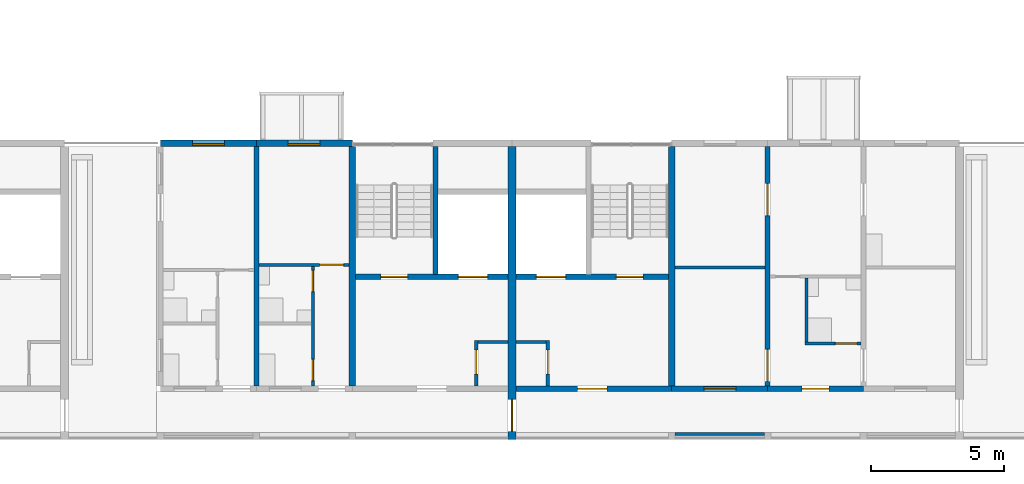
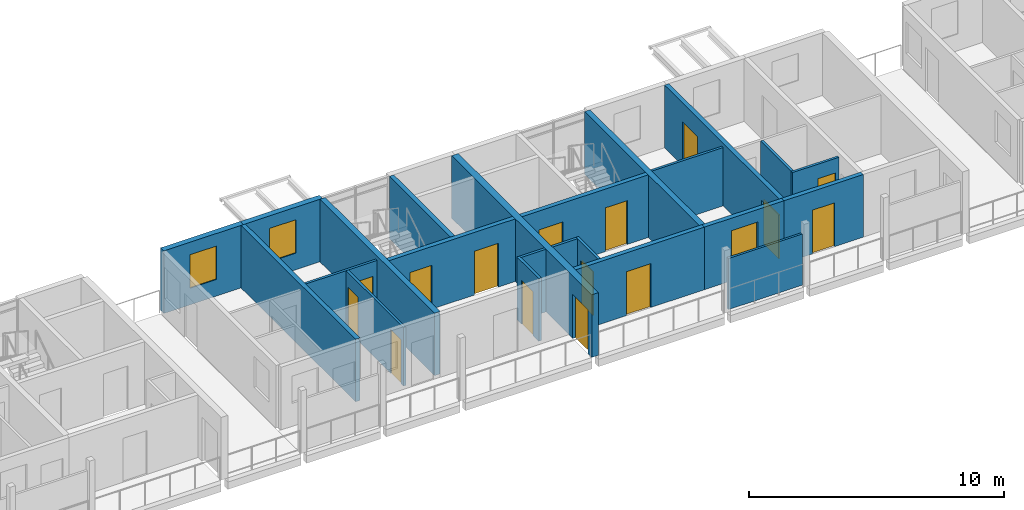
# One storey, part 33 of 78: 23 walls, 15 doors, 3 windows, 18 openings.
"""IFC4 building model written with IfcOpenShell, lengths in metres."""

from ifc_helpers import new_model, si_unit, direction, frame, frame_2d, origin, place, context, subcontext, project, spatial, rectangle, extrude, material, layer, layer_set, type_object, element, fill, save


model = new_model("IFC4")

# Units and contexts
model_context = context("Model", 3, precision=1e-05, world=origin(), true_north=direction((0.0, 1.0)))
body_context = subcontext(model_context, "Body", "Model", "MODEL_VIEW")
ifc_project = project(units=[si_unit("LENGTHUNIT", "METRE"), si_unit("AREAUNIT", "SQUARE_METRE"), si_unit("VOLUMEUNIT", "CUBIC_METRE"), si_unit("PLANEANGLEUNIT", "RADIAN"), si_unit("MASSUNIT", "GRAM", prefix="KILO")], contexts=[model_context])

# Site, building, storey
site_placement = place(None, origin())
site = spatial("IfcSite", under=ifc_project, at=site_placement, CompositionType="ELEMENT")
building_placement = place(site_placement, origin())
building = spatial("IfcBuilding", under=site, at=building_placement, Name="Ridgestep Commons", CompositionType="ELEMENT")
storey_placement = place(building_placement, frame((0.0, 0.0, 30.0)))
storey = spatial("IfcBuildingStorey", under=building, at=storey_placement, Name="L10", CompositionType="ELEMENT", Elevation=30.0)

# Walls
ifc_material_1 = material(Name="Concrete C30/37", Category="concrete")
ifc_layer_1 = layer(ifc_material_1, 0.25)
ifc_layer_set_1 = layer_set([ifc_layer_1], Name="Core cross wall 250")
wall_type_1 = type_object("IfcWallType", Name="Core cross wall 250", PredefinedType="SHEAR", material=ifc_layer_set_1)
for number, where, z_axis, x_axis, name in (
    (1, (39.60009765625, 13.75, 0.0), (0.0, 0.0, 1.0), (0.0, 1.0, 0.0), "Cross wall A-10-0396"),
    (2, (51.60009765625, 13.75, 0.0), (0.0, 0.0, 1.0), (0.0, 1.0, 0.0), "Cross wall A-10-0516"),
):
    element("IfcWall", number, at=place(storey_placement, frame(where, z_axis=z_axis, x_axis=x_axis)), inside=storey, type_object=wall_type_1, Name=name, PredefinedType="SHEAR", context=body_context, shape_type="SweptSolid", body=[
        extrude(rectangle(XDim=9.0, YDim=0.25, at=frame_2d((4.5, 0.0))), origin(), (0.0, 0.0, 1.0), 3.0),
    ])

# Wall, opening, door
ifc_material_2 = material(Name="Concrete C30/37", Category="concrete")
ifc_layer_2 = layer(ifc_material_2, 0.199951171875)
ifc_layer_set_2 = layer_set([ifc_layer_2], Name="Core south wall 200")
wall_type_2 = type_object("IfcWallType", Name="Core south wall 200", PredefinedType="SHEAR", material=ifc_layer_set_2)
wall_1_placement = place(storey_placement, frame((45.75, 13.64990234375, 0.0), z_axis=(0.0, 0.0, 1.0), x_axis=(1.0, 0.0, 0.0)))
wall_1 = element("IfcWall", 3, at=wall_1_placement, inside=storey, type_object=wall_type_2, Name="Core south wall A3C L10", PredefinedType="SHEAR", context=body_context, shape_type="SweptSolid", body=[
    extrude(rectangle(XDim=5.85009765625, YDim=0.199951171875, at=frame_2d((2.925048828125, 0.0))), origin(), (0.0, 0.0, 1.0), 3.0),
])
opening_1_placement = place(wall_1_placement, frame((2.3125, 0.0, 0.0)))
opening_1 = element("IfcOpeningElement", 4, at=opening_1_placement, cuts=wall_1, Name="Opening A3C/10/1", PredefinedType="OPENING", context=body_context, shape_type="SweptSolid", body=[
    extrude(rectangle(XDim=1.10009765625, YDim=2.10009765625, at=frame_2d((0.550048828125, 1.050048828125))), frame((0.0, 0.10986328125, 0.0), z_axis=(0.0, -1.0, 0.0), x_axis=(1.0, 0.0, 0.0)), (0.0, 0.0, 1.0), 0.219970703125),
])
ifc_material_3 = material(Name="Steel fire door", Category="steel")
door_type_1 = type_object("IfcDoorType", Name="Lobby door 1100 x 2100 FD60", OperationType="NOTDEFINED", PredefinedType="DOOR", material=ifc_material_3)
door_1_placement = place(opening_1_placement, origin())
door_1 = element("IfcDoor", 5, at=door_1_placement, inside=storey, type_object=door_type_1, Name="Lobby door A3C/10/1", OperationType="SINGLE_SWING_LEFT", OverallHeight=2.10009765625, OverallWidth=1.10009765625, PredefinedType="DOOR", context=body_context, shape_type="SweptSolid", body=[
    extrude(rectangle(XDim=1.10009765625, YDim=2.10009765625, at=frame_2d((0.550048828125, 1.050048828125))), frame((0.0, 0.02490234375, 0.0), z_axis=(0.0, -1.0, 0.0), x_axis=(1.0, 0.0, 0.0)), (0.0, 0.0, 1.0), 0.050048828125),
])
fill(opening_1, door_1)

ifc_material_4 = material(Name="Concrete C30/37", Category="concrete")
ifc_layer_3 = layer(ifc_material_4, 0.1201171875)
ifc_layer_set_3 = layer_set([ifc_layer_3], Name="Core wall 120")
wall_type_3 = type_object("IfcWallType", Name="Core wall 120", PredefinedType="SHEAR", material=ifc_layer_set_3)
wall_2_placement = place(storey_placement, frame((44.260009765625, 13.75, 0.0), z_axis=(0.0, 0.0, 1.0), x_axis=(0.0, 1.0, 0.0)))
wall_2 = element("IfcWall", 6, at=wall_2_placement, inside=storey, type_object=wall_type_3, Name="Core riser w wall A2C L10", PredefinedType="SHEAR", context=body_context, shape_type="SweptSolid", body=[
    extrude(rectangle(XDim=1.719970703125, YDim=0.1201171875, at=frame_2d((0.85986328125, 0.0))), origin(), (0.0, 0.0, 1.0), 3.0),
])
opening_2_placement = place(wall_2_placement, frame((0.449951171875, 0.0, 0.0)))
opening_2 = element("IfcOpeningElement", 7, at=opening_2_placement, cuts=wall_2, Name="Opening A2C/10/4", PredefinedType="OPENING", context=body_context, shape_type="SweptSolid", body=[
    extrude(rectangle(XDim=0.89990234375, YDim=2.10009765625, at=frame_2d((0.449951171875, 1.050048828125))), frame((0.0, 0.070068359375, 0.0), z_axis=(0.0, -1.0, 0.0), x_axis=(1.0, 0.0, 0.0)), (0.0, 0.0, 1.0), 0.14013671875),
])
ifc_material_5 = material(Name="Steel fire door", Category="steel")
door_type_2 = type_object("IfcDoorType", Name="Riser door 900 x 2100 FD60", OperationType="NOTDEFINED", PredefinedType="DOOR", material=ifc_material_5)
door_2_placement = place(opening_2_placement, origin())
door_2 = element("IfcDoor", 8, at=door_2_placement, inside=storey, type_object=door_type_2, Name="Riser door A2C/10/4", OperationType="SINGLE_SWING_LEFT", OverallHeight=2.10009765625, OverallWidth=0.89990234375, PredefinedType="DOOR", context=body_context, shape_type="SweptSolid", body=[
    extrude(rectangle(XDim=0.89990234375, YDim=2.10009765625, at=frame_2d((0.449951171875, 1.050048828125))), frame((0.0, 0.02490234375, 0.0), z_axis=(0.0, -1.0, 0.0), x_axis=(1.0, 0.0, 0.0)), (0.0, 0.0, 1.0), 0.050048828125),
])
fill(opening_2, door_2)

# Wall
wall_3_placement = place(storey_placement, frame((44.320068359375, 15.409912109375, 0.0), z_axis=(0.0, 0.0, 1.0), x_axis=(1.0, 0.0, 0.0)))
element("IfcWall", 9, at=wall_3_placement, inside=storey, type_object=wall_type_3, Name="Core riser n wall A2C L10", PredefinedType="SHEAR", context=body_context, shape_type="SweptSolid", body=[
    extrude(rectangle(XDim=1.1298828125, YDim=0.1201171875, at=frame_2d((0.56494140625, 0.0))), origin(), (0.0, 0.0, 1.0), 3.0),
])

# Wall, opening, door
wall_4_placement = place(storey_placement, frame((46.93994140625, 13.75, 0.0), z_axis=(0.0, 0.0, 1.0), x_axis=(0.0, 1.0, 0.0)))
wall_4 = element("IfcWall", 10, at=wall_4_placement, inside=storey, type_object=wall_type_3, Name="Core riser w wall A3C L10", PredefinedType="SHEAR", context=body_context, shape_type="SweptSolid", body=[
    extrude(rectangle(XDim=1.719970703125, YDim=0.1201171875, at=frame_2d((0.85986328125, 0.0))), origin(), (0.0, 0.0, 1.0), 3.0),
])
opening_3_placement = place(wall_4_placement, frame((0.449951171875, 0.0, 0.0)))
opening_3 = element("IfcOpeningElement", 11, at=opening_3_placement, cuts=wall_4, Name="Opening A3C/10/4", PredefinedType="OPENING", context=body_context, shape_type="SweptSolid", body=[
    extrude(rectangle(XDim=0.89990234375, YDim=2.10009765625, at=frame_2d((0.449951171875, 1.050048828125))), frame((0.0, 0.070068359375, 0.0), z_axis=(0.0, -1.0, 0.0), x_axis=(1.0, 0.0, 0.0)), (0.0, 0.0, 1.0), 0.14013671875),
])
door_3_placement = place(opening_3_placement, origin())
door_3 = element("IfcDoor", 12, at=door_3_placement, inside=storey, type_object=door_type_2, Name="Riser door A3C/10/4", OperationType="SINGLE_SWING_RIGHT", OverallHeight=2.10009765625, OverallWidth=0.89990234375, PredefinedType="DOOR", context=body_context, shape_type="SweptSolid", body=[
    extrude(rectangle(XDim=0.89990234375, YDim=2.10009765625, at=frame_2d((0.449951171875, 1.050048828125))), frame((0.0, 0.02490234375, 0.0), z_axis=(0.0, -1.0, 0.0), x_axis=(1.0, 0.0, 0.0)), (0.0, 0.0, 1.0), 0.050048828125),
])
fill(opening_3, door_3)

# Wall
wall_5_placement = place(storey_placement, frame((45.75, 15.409912109375, 0.0), z_axis=(0.0, 0.0, 1.0), x_axis=(1.0, 0.0, 0.0)))
element("IfcWall", 13, at=wall_5_placement, inside=storey, type_object=wall_type_3, Name="Core riser n wall A3C L10", PredefinedType="SHEAR", context=body_context, shape_type="SweptSolid", body=[
    extrude(rectangle(XDim=1.1298828125, YDim=0.1201171875, at=frame_2d((0.56494140625, 0.0))), origin(), (0.0, 0.0, 1.0), 3.0),
])

# Wall, openings, doors
ifc_material_6 = material(Name="Concrete C30/37", Category="concrete")
ifc_layer_4 = layer(ifc_material_6, 0.199951171875)
ifc_layer_set_4 = layer_set([ifc_layer_4], Name="Core wall 200")
wall_type_4 = type_object("IfcWallType", Name="Core wall 200", PredefinedType="SHEAR", material=ifc_layer_set_4)
wall_6_placement = place(storey_placement, frame((39.72509765625, 17.85009765625, 0.0), z_axis=(0.0, 0.0, 1.0), x_axis=(1.0, 0.0, 0.0)))
wall_6 = element("IfcWall", 14, at=wall_6_placement, inside=storey, type_object=wall_type_4, Name="Core lobby wall A2C L10", PredefinedType="SHEAR", context=body_context, shape_type="SweptSolid", body=[
    extrude(rectangle(XDim=5.724853515625, YDim=0.199951171875, at=frame_2d((2.8623046875, 0.0))), origin(), (0.0, 0.0, 1.0), 3.0),
])
opening_4_placement = place(wall_6_placement, frame((0.949951171875, 0.0, 0.0)))
opening_4 = element("IfcOpeningElement", 15, at=opening_4_placement, cuts=wall_6, Name="Opening A2C/10/2", PredefinedType="OPENING", context=body_context, shape_type="SweptSolid", body=[
    extrude(rectangle(XDim=1.0, YDim=2.10009765625, at=frame_2d((0.5, 1.050048828125))), frame((0.0, 0.10986328125, 0.0), z_axis=(0.0, -1.0, 0.0), x_axis=(1.0, 0.0, 0.0)), (0.0, 0.0, 1.0), 0.219970703125),
])
opening_5_placement = place(wall_6_placement, frame((3.862548828125, 0.0, 0.0)))
opening_5 = element("IfcOpeningElement", 16, at=opening_5_placement, cuts=wall_6, Name="Opening A2C/10/3", PredefinedType="OPENING", context=body_context, shape_type="SweptSolid", body=[
    extrude(rectangle(XDim=1.10009765625, YDim=2.10009765625, at=frame_2d((0.550048828125, 1.050048828125))), frame((0.0, 0.10986328125, 0.0), z_axis=(0.0, -1.0, 0.0), x_axis=(1.0, 0.0, 0.0)), (0.0, 0.0, 1.0), 0.219970703125),
])
ifc_material_7 = material(Name="Stainless steel", Category="steel")
door_type_3 = type_object("IfcDoorType", Name="Lift landing door 1100 x 2100 FD60", OperationType="DOUBLE_DOOR_SLIDING", PredefinedType="DOOR", material=ifc_material_7)
door_4_placement = place(opening_5_placement, origin())
door_4 = element("IfcDoor", 17, at=door_4_placement, inside=storey, type_object=door_type_3, Name="Landing door LD A2C L10", OperationType="DOUBLE_DOOR_SLIDING", OverallHeight=2.10009765625, OverallWidth=1.10009765625, PredefinedType="DOOR", context=body_context, shape_type="SweptSolid", body=[
    extrude(rectangle(XDim=1.10009765625, YDim=2.10009765625, at=frame_2d((0.550048828125, 1.050048828125))), frame((0.0, 0.02490234375, 0.0), z_axis=(0.0, -1.0, 0.0), x_axis=(1.0, 0.0, 0.0)), (0.0, 0.0, 1.0), 0.050048828125),
])
fill(opening_5, door_4)
ifc_material_8 = material(Name="Steel fire door", Category="steel")
door_type_4 = type_object("IfcDoorType", Name="Stair door 1000 x 2100 FD60", OperationType="NOTDEFINED", PredefinedType="DOOR", material=ifc_material_8)
door_5_placement = place(opening_4_placement, origin())
door_5 = element("IfcDoor", 18, at=door_5_placement, inside=storey, type_object=door_type_4, Name="Stair door A2C/10/2", OperationType="SINGLE_SWING_RIGHT", OverallHeight=2.10009765625, OverallWidth=1.0, PredefinedType="DOOR", context=body_context, shape_type="SweptSolid", body=[
    extrude(rectangle(XDim=1.0, YDim=2.10009765625, at=frame_2d((0.5, 1.050048828125))), frame((0.0, 0.02490234375, 0.0), z_axis=(0.0, -1.0, 0.0), x_axis=(1.0, 0.0, 0.0)), (0.0, 0.0, 1.0), 0.050048828125),
])
fill(opening_4, door_5)

# Wall
wall_7_placement = place(storey_placement, frame((42.72509765625, 17.949951171875, 0.0), z_axis=(0.0, 0.0, 1.0), x_axis=(0.0, 1.0, 0.0)))
element("IfcWall", 19, at=wall_7_placement, inside=storey, type_object=wall_type_4, Name="Core stair wall A2C L10", PredefinedType="SHEAR", context=body_context, shape_type="SweptSolid", body=[
    extrude(rectangle(XDim=4.800048828125, YDim=0.199951171875, at=frame_2d((2.39990234375, 0.0))), origin(), (0.0, 0.0, 1.0), 3.0),
])

# Wall, openings, doors
wall_8_placement = place(storey_placement, frame((45.75, 17.85009765625, 0.0), z_axis=(0.0, 0.0, 1.0), x_axis=(1.0, 0.0, 0.0)))
wall_8 = element("IfcWall", 20, at=wall_8_placement, inside=storey, type_object=wall_type_4, Name="Core lobby wall A3C L10", PredefinedType="SHEAR", context=body_context, shape_type="SweptSolid", body=[
    extrude(rectangle(XDim=5.72509765625, YDim=0.199951171875, at=frame_2d((2.862548828125, 0.0))), origin(), (0.0, 0.0, 1.0), 3.0),
])
opening_6_placement = place(wall_8_placement, frame((3.77490234375, 0.0, 0.0)))
opening_6 = element("IfcOpeningElement", 21, at=opening_6_placement, cuts=wall_8, Name="Opening A3C/10/2", PredefinedType="OPENING", context=body_context, shape_type="SweptSolid", body=[
    extrude(rectangle(XDim=1.0, YDim=2.10009765625, at=frame_2d((0.5, 1.050048828125))), frame((0.0, 0.10986328125, 0.0), z_axis=(0.0, -1.0, 0.0), x_axis=(1.0, 0.0, 0.0)), (0.0, 0.0, 1.0), 0.219970703125),
])
opening_7_placement = place(wall_8_placement, frame((0.762451171875, 0.0, 0.0)))
opening_7 = element("IfcOpeningElement", 22, at=opening_7_placement, cuts=wall_8, Name="Opening A3C/10/3", PredefinedType="OPENING", context=body_context, shape_type="SweptSolid", body=[
    extrude(rectangle(XDim=1.10009765625, YDim=2.10009765625, at=frame_2d((0.550048828125, 1.050048828125))), frame((0.0, 0.10986328125, 0.0), z_axis=(0.0, -1.0, 0.0), x_axis=(1.0, 0.0, 0.0)), (0.0, 0.0, 1.0), 0.219970703125),
])
door_6_placement = place(opening_7_placement, origin())
door_6 = element("IfcDoor", 23, at=door_6_placement, inside=storey, type_object=door_type_3, Name="Landing door LD A3C L10", OperationType="DOUBLE_DOOR_SLIDING", OverallHeight=2.10009765625, OverallWidth=1.10009765625, PredefinedType="DOOR", context=body_context, shape_type="SweptSolid", body=[
    extrude(rectangle(XDim=1.10009765625, YDim=2.10009765625, at=frame_2d((0.550048828125, 1.050048828125))), frame((0.0, 0.02490234375, 0.0), z_axis=(0.0, -1.0, 0.0), x_axis=(1.0, 0.0, 0.0)), (0.0, 0.0, 1.0), 0.050048828125),
])
fill(opening_7, door_6)
door_7_placement = place(opening_6_placement, origin())
door_7 = element("IfcDoor", 24, at=door_7_placement, inside=storey, type_object=door_type_4, Name="Stair door A3C/10/2", OperationType="SINGLE_SWING_RIGHT", OverallHeight=2.10009765625, OverallWidth=1.0, PredefinedType="DOOR", context=body_context, shape_type="SweptSolid", body=[
    extrude(rectangle(XDim=1.0, YDim=2.10009765625, at=frame_2d((0.5, 1.050048828125))), frame((0.0, 0.02490234375, 0.0), z_axis=(0.0, -1.0, 0.0), x_axis=(1.0, 0.0, 0.0)), (0.0, 0.0, 1.0), 0.050048828125),
])
fill(opening_6, door_7)

# Wall
ifc_material_9 = material(Name="Precast concrete C40/50", Category="concrete")
ifc_layer_5 = layer(ifc_material_9, 0.199951171875)
ifc_layer_set_5 = layer_set([ifc_layer_5], Name="Cross wall 200")
wall_type_5 = type_object("IfcWallType", Name="Cross wall 200", PredefinedType="SHEAR", material=ifc_layer_set_5)
wall_9_placement = place(storey_placement, frame((36.0, 13.75, 0.0), z_axis=(0.0, 0.0, 1.0), x_axis=(0.0, 1.0, 0.0)))
element("IfcWall", 25, at=wall_9_placement, inside=storey, type_object=wall_type_5, Name="Cross wall A-10-0360", PredefinedType="SHEAR", context=body_context, shape_type="SweptSolid", body=[
    extrude(rectangle(XDim=9.0, YDim=0.199951171875, at=frame_2d((4.5, 0.0))), origin(), (0.0, 0.0, 1.0), 3.0),
])

# Wall, openings, doors
wall_10_placement = place(storey_placement, frame((55.199951171875, 13.75, 0.0), z_axis=(0.0, 0.0, 1.0), x_axis=(0.0, 1.0, 0.0)))
wall_10 = element("IfcWall", 26, at=wall_10_placement, inside=storey, type_object=wall_type_5, Name="Cross wall A-10-0552", PredefinedType="SHEAR", context=body_context, shape_type="SweptSolid", body=[
    extrude(rectangle(XDim=9.0, YDim=0.199951171875, at=frame_2d((4.5, 0.0))), origin(), (0.0, 0.0, 1.0), 3.0),
])
opening_8_placement = place(wall_10_placement, frame((0.175048828125, 0.0, 0.0)))
opening_8 = element("IfcOpeningElement", 27, at=opening_8_placement, cuts=wall_10, Name="Opening A3-10a/4", PredefinedType="OPENING", context=body_context, shape_type="SweptSolid", body=[
    extrude(rectangle(XDim=1.199951171875, YDim=2.10009765625, at=frame_2d((0.60009765625, 1.050048828125))), frame((0.0, 0.10986328125, 0.0), z_axis=(0.0, -1.0, 0.0), x_axis=(1.0, 0.0, 0.0)), (0.0, 0.0, 1.0), 0.219970703125),
])
opening_9_placement = place(wall_10_placement, frame((6.39990234375, 0.0, 0.0)))
opening_9 = element("IfcOpeningElement", 28, at=opening_9_placement, cuts=wall_10, Name="Opening A3-10a/5", PredefinedType="OPENING", context=body_context, shape_type="SweptSolid", body=[
    extrude(rectangle(XDim=1.199951171875, YDim=2.10009765625, at=frame_2d((0.60009765625, 1.050048828125))), frame((0.0, 0.10986328125, 0.0), z_axis=(0.0, -1.0, 0.0), x_axis=(1.0, 0.0, 0.0)), (0.0, 0.0, 1.0), 0.219970703125),
])
ifc_material_10 = material(Name="Timber door leaf", Category="wood")
door_type_5 = type_object("IfcDoorType", Name="Double door 1200 x 2100", OperationType="DOUBLE_DOOR_SINGLE_SWING", PredefinedType="DOOR", material=ifc_material_10)
door_8_placement = place(opening_8_placement, origin())
door_8 = element("IfcDoor", 29, at=door_8_placement, inside=storey, type_object=door_type_5, Name="Double door A3-10a/4", OperationType="DOUBLE_DOOR_SINGLE_SWING", OverallHeight=2.10009765625, OverallWidth=1.199951171875, PredefinedType="DOOR", context=body_context, shape_type="SweptSolid", body=[
    extrude(rectangle(XDim=1.199951171875, YDim=2.10009765625, at=frame_2d((0.60009765625, 1.050048828125))), frame((0.0, 0.02490234375, 0.0), z_axis=(0.0, -1.0, 0.0), x_axis=(1.0, 0.0, 0.0)), (0.0, 0.0, 1.0), 0.050048828125),
])
fill(opening_8, door_8)
door_9_placement = place(opening_9_placement, origin())
door_9 = element("IfcDoor", 30, at=door_9_placement, inside=storey, type_object=door_type_5, Name="Double door A3-10a/5", OperationType="DOUBLE_DOOR_SINGLE_SWING", OverallHeight=2.10009765625, OverallWidth=1.199951171875, PredefinedType="DOOR", context=body_context, shape_type="SweptSolid", body=[
    extrude(rectangle(XDim=1.199951171875, YDim=2.10009765625, at=frame_2d((0.60009765625, 1.050048828125))), frame((0.0, 0.02490234375, 0.0), z_axis=(0.0, -1.0, 0.0), x_axis=(1.0, 0.0, 0.0)), (0.0, 0.0, 1.0), 0.050048828125),
])
fill(opening_9, door_9)

# Wall, opening, door
ifc_material_11 = material(Name="Precast concrete C40/50", Category="concrete")
ifc_layer_6 = layer(ifc_material_11, 0.300048828125)
ifc_layer_set_6 = layer_set([ifc_layer_6], Name="Division wall 300")
wall_type_6 = type_object("IfcWallType", Name="Division wall 300", PredefinedType="SHEAR", material=ifc_layer_set_6)
wall_11_placement = place(storey_placement, frame((45.60009765625, 11.75, 0.0), z_axis=(0.0, 0.0, 1.0), x_axis=(0.0, 1.0, 0.0)))
wall_11 = element("IfcWall", 31, at=wall_11_placement, inside=storey, type_object=wall_type_6, Name="Cross wall A-10-0456", PredefinedType="SHEAR", context=body_context, shape_type="SweptSolid", body=[
    extrude(rectangle(XDim=11.0, YDim=0.300048828125, at=frame_2d((5.5, 0.0))), origin(), (0.0, 0.0, 1.0), 3.0),
])
opening_10_placement = place(wall_11_placement, frame((0.300048828125, 0.0, 0.0)))
opening_10 = element("IfcOpeningElement", 32, at=opening_10_placement, cuts=wall_11, Name="Opening A/10/G0456", PredefinedType="OPENING", context=body_context, shape_type="SweptSolid", body=[
    extrude(rectangle(XDim=1.199951171875, YDim=2.10009765625, at=frame_2d((0.60009765625, 1.050048828125))), frame((0.0, 0.159912109375, 0.0), z_axis=(0.0, -1.0, 0.0), x_axis=(1.0, 0.0, 0.0)), (0.0, 0.0, 1.0), 0.320068359375),
])
ifc_material_12 = material(Name="Steel fire door", Category="steel")
door_type_6 = type_object("IfcDoorType", Name="Division fire door 1200 x 2100 EI 240", OperationType="DOUBLE_DOOR_SINGLE_SWING", PredefinedType="DOOR", material=ifc_material_12)
door_10_placement = place(opening_10_placement, origin())
door_10 = element("IfcDoor", 33, at=door_10_placement, inside=storey, type_object=door_type_6, Name="Division fire door A/10/G0456", OperationType="DOUBLE_DOOR_SINGLE_SWING", OverallHeight=2.10009765625, OverallWidth=1.199951171875, PredefinedType="DOOR", context=body_context, shape_type="SweptSolid", body=[
    extrude(rectangle(XDim=1.199951171875, YDim=2.10009765625, at=frame_2d((0.60009765625, 1.050048828125))), frame((0.0, 0.02490234375, 0.0), z_axis=(0.0, -1.0, 0.0), x_axis=(1.0, 0.0, 0.0)), (0.0, 0.0, 1.0), 0.050048828125),
])
fill(opening_10, door_10)

# Wall, opening, window
ifc_material_13 = material(Name="Precast concrete C40/50", Category="concrete")
ifc_layer_7 = layer(ifc_material_13, 0.25)
ifc_layer_set_7 = layer_set([ifc_layer_7], Name="North facade panel 250")
wall_type_7 = type_object("IfcWallType", Name="North facade panel 250", PredefinedType="SOLIDWALL", material=ifc_layer_set_7)
wall_12_placement = place(storey_placement, frame((32.39990234375, 22.875, 0.0), z_axis=(0.0, 0.0, 1.0), x_axis=(1.0, 0.0, 0.0)))
wall_12 = element("IfcWall", 34, at=wall_12_placement, inside=storey, type_object=wall_type_7, Name="North panel A2T2 L10", PredefinedType="SOLIDWALL", context=body_context, shape_type="SweptSolid", body=[
    extrude(rectangle(XDim=3.60009765625, YDim=0.25, at=frame_2d((1.800048828125, 0.0))), origin(), (0.0, 0.0, 1.0), 3.0),
])
opening_11_placement = place(wall_12_placement, frame((1.199951171875, 0.0, 0.800048828125)))
opening_11 = element("IfcOpeningElement", 35, at=opening_11_placement, cuts=wall_12, Name="Opening W11", PredefinedType="OPENING", context=body_context, shape_type="SweptSolid", body=[
    extrude(rectangle(XDim=1.199951171875, YDim=1.60009765625, at=frame_2d((0.60009765625, 0.800048828125))), frame((0.0, 0.135009765625, 0.0), z_axis=(0.0, -1.0, 0.0), x_axis=(1.0, 0.0, 0.0)), (0.0, 0.0, 1.0), 0.27001953125),
])
ifc_material_14 = material(Name="Aluminium 6063-T6 and glass", Category="aluminium")
window_type = type_object("IfcWindowType", Name="Flat window 1200 x 1600", PartitioningType="SINGLE_PANEL", PredefinedType="WINDOW", material=ifc_material_14)
window_1_placement = place(opening_11_placement, origin())
window_1 = element("IfcWindow", 36, at=window_1_placement, inside=storey, type_object=window_type, Name="Window A2-10a 2", OverallHeight=1.60009765625, OverallWidth=1.199951171875, PartitioningType="SINGLE_PANEL", PredefinedType="WINDOW", context=body_context, shape_type="SweptSolid", body=[
    extrude(rectangle(XDim=1.199951171875, YDim=1.60009765625, at=frame_2d((0.60009765625, 0.800048828125))), frame((0.0, -0.02490234375, 0.0), z_axis=(0.0, -1.0, 0.0), x_axis=(1.0, 0.0, 0.0)), (0.0, 0.0, 1.0), 0.06005859375),
])
fill(opening_11, window_1)

wall_13_placement = place(storey_placement, frame((36.0, 22.875, 0.0), z_axis=(0.0, 0.0, 1.0), x_axis=(1.0, 0.0, 0.0)))
wall_13 = element("IfcWall", 37, at=wall_13_placement, inside=storey, type_object=wall_type_7, Name="North panel A2T3 L10", PredefinedType="SOLIDWALL", context=body_context, shape_type="SweptSolid", body=[
    extrude(rectangle(XDim=3.60009765625, YDim=0.25, at=frame_2d((1.800048828125, 0.0))), origin(), (0.0, 0.0, 1.0), 3.0),
])
opening_12_placement = place(wall_13_placement, frame((1.1875, 0.0, 0.800048828125)))
opening_12 = element("IfcOpeningElement", 38, at=opening_12_placement, cuts=wall_13, Name="Opening W11", PredefinedType="OPENING", context=body_context, shape_type="SweptSolid", body=[
    extrude(rectangle(XDim=1.199951171875, YDim=1.60009765625, at=frame_2d((0.60009765625, 0.800048828125))), frame((0.0, 0.135009765625, 0.0), z_axis=(0.0, -1.0, 0.0), x_axis=(1.0, 0.0, 0.0)), (0.0, 0.0, 1.0), 0.27001953125),
])
window_2_placement = place(opening_12_placement, origin())
window_2 = element("IfcWindow", 39, at=window_2_placement, inside=storey, type_object=window_type, Name="Window A2-10b 2", OverallHeight=1.60009765625, OverallWidth=1.199951171875, PartitioningType="SINGLE_PANEL", PredefinedType="WINDOW", context=body_context, shape_type="SweptSolid", body=[
    extrude(rectangle(XDim=1.199951171875, YDim=1.60009765625, at=frame_2d((0.60009765625, 0.800048828125))), frame((0.0, -0.02490234375, 0.0), z_axis=(0.0, -1.0, 0.0), x_axis=(1.0, 0.0, 0.0)), (0.0, 0.0, 1.0), 0.06005859375),
])
fill(opening_12, window_2)

# Wall, openings, doors
ifc_material_15 = material(Name="Common brick 110 mm", Category="masonry")
ifc_layer_8 = layer(ifc_material_15, 0.110107421875)
ifc_layer_set_8 = layer_set([ifc_layer_8], Name="Partition 110")
wall_type_8 = type_object("IfcWallType", Name="Partition 110", PredefinedType="PARTITIONING", material=ifc_layer_set_8)
wall_14_placement = place(storey_placement, frame((38.1201171875, 13.75, 0.0), z_axis=(0.0, 0.0, 1.0), x_axis=(0.0, 1.0, 0.0)))
wall_14 = element("IfcWall", 40, at=wall_14_placement, inside=storey, type_object=wall_type_8, Name="Partition A2-10b", PredefinedType="PARTITIONING", context=body_context, shape_type="SweptSolid", body=[
    extrude(rectangle(XDim=4.5, YDim=0.110107421875, at=frame_2d((2.25, 0.0))), origin(), (0.0, 0.0, 1.0), 2.800048828125),
])
opening_13_placement = place(wall_14_placement, frame((0.199951171875, 0.0, 0.0)))
opening_13 = element("IfcOpeningElement", 41, at=opening_13_placement, cuts=wall_14, Name="Opening A2-10b/2", PredefinedType="OPENING", context=body_context, shape_type="SweptSolid", body=[
    extrude(rectangle(XDim=0.800048828125, YDim=2.10009765625, at=frame_2d((0.39990234375, 1.050048828125))), frame((0.0, 0.06494140625, 0.0), z_axis=(0.0, -1.0, 0.0), x_axis=(1.0, 0.0, 0.0)), (0.0, 0.0, 1.0), 0.130126953125),
])
opening_14_placement = place(wall_14_placement, frame((3.550048828125, 0.0, 0.0)))
opening_14 = element("IfcOpeningElement", 42, at=opening_14_placement, cuts=wall_14, Name="Opening A2-10b/3", PredefinedType="OPENING", context=body_context, shape_type="SweptSolid", body=[
    extrude(rectangle(XDim=0.800048828125, YDim=2.10009765625, at=frame_2d((0.39990234375, 1.050048828125))), frame((0.0, 0.06494140625, 0.0), z_axis=(0.0, -1.0, 0.0), x_axis=(1.0, 0.0, 0.0)), (0.0, 0.0, 1.0), 0.130126953125),
])
ifc_material_16 = material(Name="Timber door leaf", Category="wood")
door_type_7 = type_object("IfcDoorType", Name="Internal door 800 x 2100", OperationType="NOTDEFINED", PredefinedType="DOOR", material=ifc_material_16)
door_11_placement = place(opening_13_placement, origin())
door_11 = element("IfcDoor", 43, at=door_11_placement, inside=storey, type_object=door_type_7, Name="Internal door A2-10b/2", OperationType="SINGLE_SWING_LEFT", OverallHeight=2.10009765625, OverallWidth=0.800048828125, PredefinedType="DOOR", context=body_context, shape_type="SweptSolid", body=[
    extrude(rectangle(XDim=0.800048828125, YDim=2.10009765625, at=frame_2d((0.39990234375, 1.050048828125))), frame((0.0, 0.02490234375, 0.0), z_axis=(0.0, -1.0, 0.0), x_axis=(1.0, 0.0, 0.0)), (0.0, 0.0, 1.0), 0.050048828125),
])
fill(opening_13, door_11)
door_12_placement = place(opening_14_placement, origin())
door_12 = element("IfcDoor", 44, at=door_12_placement, inside=storey, type_object=door_type_7, Name="Internal door A2-10b/3", OperationType="SINGLE_SWING_RIGHT", OverallHeight=2.10009765625, OverallWidth=0.800048828125, PredefinedType="DOOR", context=body_context, shape_type="SweptSolid", body=[
    extrude(rectangle(XDim=0.800048828125, YDim=2.10009765625, at=frame_2d((0.39990234375, 1.050048828125))), frame((0.0, 0.02490234375, 0.0), z_axis=(0.0, -1.0, 0.0), x_axis=(1.0, 0.0, 0.0)), (0.0, 0.0, 1.0), 0.050048828125),
])
fill(opening_14, door_12)

# Wall, opening, door
wall_15_placement = place(storey_placement, frame((36.10009765625, 18.304931640625, 0.0), z_axis=(0.0, 0.0, 1.0), x_axis=(1.0, 0.0, 0.0)))
wall_15 = element("IfcWall", 45, at=wall_15_placement, inside=storey, type_object=wall_type_8, Name="Partition A2-10b", PredefinedType="PARTITIONING", context=body_context, shape_type="SweptSolid", body=[
    extrude(rectangle(XDim=3.375, YDim=0.110107421875, at=frame_2d((1.6875, 0.0))), origin(), (0.0, 0.0, 1.0), 2.800048828125),
])
opening_15_placement = place(wall_15_placement, frame((2.27490234375, 0.0, 0.0)))
opening_15 = element("IfcOpeningElement", 46, at=opening_15_placement, cuts=wall_15, Name="Opening A2-10b/4", PredefinedType="OPENING", context=body_context, shape_type="SweptSolid", body=[
    extrude(rectangle(XDim=0.89990234375, YDim=2.10009765625, at=frame_2d((0.449951171875, 1.050048828125))), frame((0.0, 0.06494140625, 0.0), z_axis=(0.0, -1.0, 0.0), x_axis=(1.0, 0.0, 0.0)), (0.0, 0.0, 1.0), 0.130126953125),
])
ifc_material_17 = material(Name="Timber door leaf", Category="wood")
door_type_8 = type_object("IfcDoorType", Name="Internal door 900 x 2100", OperationType="NOTDEFINED", PredefinedType="DOOR", material=ifc_material_17)
door_13_placement = place(opening_15_placement, origin())
door_13 = element("IfcDoor", 47, at=door_13_placement, inside=storey, type_object=door_type_8, Name="Internal door A2-10b/4", OperationType="SINGLE_SWING_LEFT", OverallHeight=2.10009765625, OverallWidth=0.89990234375, PredefinedType="DOOR", context=body_context, shape_type="SweptSolid", body=[
    extrude(rectangle(XDim=0.89990234375, YDim=2.10009765625, at=frame_2d((0.449951171875, 1.050048828125))), frame((0.0, 0.02490234375, 0.0), z_axis=(0.0, -1.0, 0.0), x_axis=(1.0, 0.0, 0.0)), (0.0, 0.0, 1.0), 0.050048828125),
])
fill(opening_15, door_13)

wall_16_placement = place(storey_placement, frame((56.60009765625, 15.35498046875, 0.0), z_axis=(0.0, 0.0, 1.0), x_axis=(1.0, 0.0, 0.0)))
wall_16 = element("IfcWall", 48, at=wall_16_placement, inside=storey, type_object=wall_type_8, Name="Partition A3-10a", PredefinedType="PARTITIONING", context=body_context, shape_type="SweptSolid", body=[
    extrude(rectangle(XDim=2.099853515625, YDim=0.110107421875, at=frame_2d((1.0498046875, 0.0))), origin(), (0.0, 0.0, 1.0), 2.800048828125),
])
opening_16_placement = place(wall_16_placement, frame((1.14990234375, 0.0, 0.0)))
opening_16 = element("IfcOpeningElement", 49, at=opening_16_placement, cuts=wall_16, Name="Opening A3-10a/2", PredefinedType="OPENING", context=body_context, shape_type="SweptSolid", body=[
    extrude(rectangle(XDim=0.800048828125, YDim=2.10009765625, at=frame_2d((0.39990234375, 1.050048828125))), frame((0.0, 0.06494140625, 0.0), z_axis=(0.0, -1.0, 0.0), x_axis=(1.0, 0.0, 0.0)), (0.0, 0.0, 1.0), 0.130126953125),
])
door_14_placement = place(opening_16_placement, origin())
door_14 = element("IfcDoor", 50, at=door_14_placement, inside=storey, type_object=door_type_7, Name="Internal door A3-10a/2", OperationType="SINGLE_SWING_RIGHT", OverallHeight=2.10009765625, OverallWidth=0.800048828125, PredefinedType="DOOR", context=body_context, shape_type="SweptSolid", body=[
    extrude(rectangle(XDim=0.800048828125, YDim=2.10009765625, at=frame_2d((0.39990234375, 1.050048828125))), frame((0.0, 0.02490234375, 0.0), z_axis=(0.0, -1.0, 0.0), x_axis=(1.0, 0.0, 0.0)), (0.0, 0.0, 1.0), 0.050048828125),
])
fill(opening_16, door_14)

# Walls
wall_17_placement = place(storey_placement, frame((56.655029296875, 15.409912109375, 0.0), z_axis=(0.0, 0.0, 1.0), x_axis=(0.0, 1.0, 0.0)))
element("IfcWall", 51, at=wall_17_placement, inside=storey, type_object=wall_type_8, Name="Partition A3-10a", PredefinedType="PARTITIONING", context=body_context, shape_type="SweptSolid", body=[
    extrude(rectangle(XDim=2.400146484375, YDim=0.110107421875, at=frame_2d((1.2001953125, 0.0))), origin(), (0.0, 0.0, 1.0), 2.800048828125),
])
wall_18_placement = place(storey_placement, frame((51.72509765625, 18.205078125, 0.0), z_axis=(0.0, 0.0, 1.0), x_axis=(1.0, 0.0, 0.0)))
element("IfcWall", 52, at=wall_18_placement, inside=storey, type_object=wall_type_8, Name="Partition A3-10a", PredefinedType="PARTITIONING", context=body_context, shape_type="SweptSolid", body=[
    extrude(rectangle(XDim=3.375, YDim=0.110107421875, at=frame_2d((1.6875, 0.0))), origin(), (0.0, 0.0, 1.0), 2.800048828125),
])
ifc_material_18 = material(Name="Precast concrete C30/37", Category="concrete")
ifc_layer_9 = layer(ifc_material_18, 0.10009765625)
ifc_layer_set_9 = layer_set([ifc_layer_9], Name="Perforated gallery screen 3350 x 2450 x 100")
wall_type_9 = type_object("IfcWallType", Name="Perforated gallery screen 3350 x 2450 x 100", PredefinedType="SOLIDWALL", material=ifc_layer_set_9)
wall_19_placement = place(storey_placement, frame((51.72509765625, 11.949951171875, 0.0), z_axis=(0.0, 0.0, 1.0), x_axis=(1.0, 0.0, 0.0)))
element("IfcWall", 53, at=wall_19_placement, inside=storey, type_object=wall_type_9, Name="Gallery screen A3T3 10", PredefinedType="SOLIDWALL", context=body_context, shape_type="SweptSolid", body=[
    extrude(rectangle(XDim=3.349853515625, YDim=0.10009765625, at=frame_2d((1.6748046875, 0.0))), origin(), (0.0, 0.0, 1.0), 2.449951171875),
])

# Wall, opening, window
ifc_material_19 = material(Name="Precast concrete C40/50", Category="concrete")
ifc_layer_10 = layer(ifc_material_19, 0.199951171875)
ifc_layer_set_10 = layer_set([ifc_layer_10], Name="South facade panel 200")
wall_type_10 = type_object("IfcWallType", Name="South facade panel 200", PredefinedType="SOLIDWALL", material=ifc_layer_set_10)
wall_20_placement = place(storey_placement, frame((51.60009765625, 13.64990234375, 0.0), z_axis=(0.0, 0.0, 1.0), x_axis=(1.0, 0.0, 0.0)))
wall_20 = element("IfcWall", 54, at=wall_20_placement, inside=storey, type_object=wall_type_10, Name="South panel A3T3 L10", PredefinedType="SOLIDWALL", context=body_context, shape_type="SweptSolid", body=[
    extrude(rectangle(XDim=3.599853515625, YDim=0.199951171875, at=frame_2d((1.7998046875, 0.0))), origin(), (0.0, 0.0, 1.0), 3.0),
])
opening_17_placement = place(wall_20_placement, frame((1.21240234375, 0.0, 0.800048828125)))
opening_17 = element("IfcOpeningElement", 55, at=opening_17_placement, cuts=wall_20, Name="Opening W11", PredefinedType="OPENING", context=body_context, shape_type="SweptSolid", body=[
    extrude(rectangle(XDim=1.199951171875, YDim=1.60009765625, at=frame_2d((0.60009765625, 0.800048828125))), frame((0.0, 0.10986328125, 0.0), z_axis=(0.0, -1.0, 0.0), x_axis=(1.0, 0.0, 0.0)), (0.0, 0.0, 1.0), 0.219970703125),
])
window_3_placement = place(opening_17_placement, origin())
window_3 = element("IfcWindow", 56, at=window_3_placement, inside=storey, type_object=window_type, Name="Window A3-10a 1", OverallHeight=1.60009765625, OverallWidth=1.199951171875, PartitioningType="SINGLE_PANEL", PredefinedType="WINDOW", context=body_context, shape_type="SweptSolid", body=[
    extrude(rectangle(XDim=1.199951171875, YDim=1.60009765625, at=frame_2d((0.60009765625, 0.800048828125))), frame((0.0, 0.06005859375, 0.0), z_axis=(0.0, -1.0, 0.0), x_axis=(1.0, 0.0, 0.0)), (0.0, 0.0, 1.0), 0.06005859375),
])
fill(opening_17, window_3)

# Wall, opening, door
wall_21_placement = place(storey_placement, frame((55.199951171875, 13.64990234375, 0.0), z_axis=(0.0, 0.0, 1.0), x_axis=(1.0, 0.0, 0.0)))
wall_21 = element("IfcWall", 57, at=wall_21_placement, inside=storey, type_object=wall_type_10, Name="South panel A3T2 L10", PredefinedType="SOLIDWALL", context=body_context, shape_type="SweptSolid", body=[
    extrude(rectangle(XDim=3.60009765625, YDim=0.199951171875, at=frame_2d((1.800048828125, 0.0))), origin(), (0.0, 0.0, 1.0), 3.0),
])
opening_18_placement = place(wall_21_placement, frame((1.300048828125, 0.0, 0.0)))
opening_18 = element("IfcOpeningElement", 58, at=opening_18_placement, cuts=wall_21, Name="Opening A3-10a/1", PredefinedType="OPENING", context=body_context, shape_type="SweptSolid", body=[
    extrude(rectangle(XDim=1.0, YDim=2.10009765625, at=frame_2d((0.5, 1.050048828125))), frame((0.0, 0.10986328125, 0.0), z_axis=(0.0, -1.0, 0.0), x_axis=(1.0, 0.0, 0.0)), (0.0, 0.0, 1.0), 0.219970703125),
])
ifc_material_20 = material(Name="Timber door leaf", Category="wood")
door_type_9 = type_object("IfcDoorType", Name="Flat entrance door 1000 x 2100 FD30S", OperationType="NOTDEFINED", PredefinedType="DOOR", material=ifc_material_20)
door_15_placement = place(opening_18_placement, origin())
door_15 = element("IfcDoor", 59, at=door_15_placement, inside=storey, type_object=door_type_9, Name="Flat entrance door A3-10a/1", OperationType="SINGLE_SWING_LEFT", OverallHeight=2.10009765625, OverallWidth=1.0, PredefinedType="DOOR", context=body_context, shape_type="SweptSolid", body=[
    extrude(rectangle(XDim=1.0, YDim=2.10009765625, at=frame_2d((0.5, 1.050048828125))), frame((0.0, 0.02490234375, 0.0), z_axis=(0.0, -1.0, 0.0), x_axis=(1.0, 0.0, 0.0)), (0.0, 0.0, 1.0), 0.050048828125),
])
fill(opening_18, door_15)

save(model, "model.ifc")
